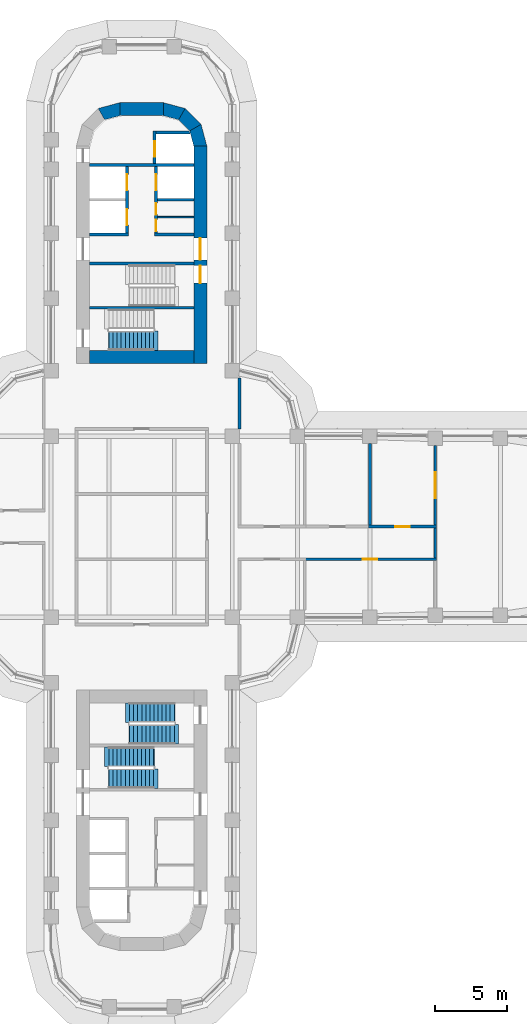
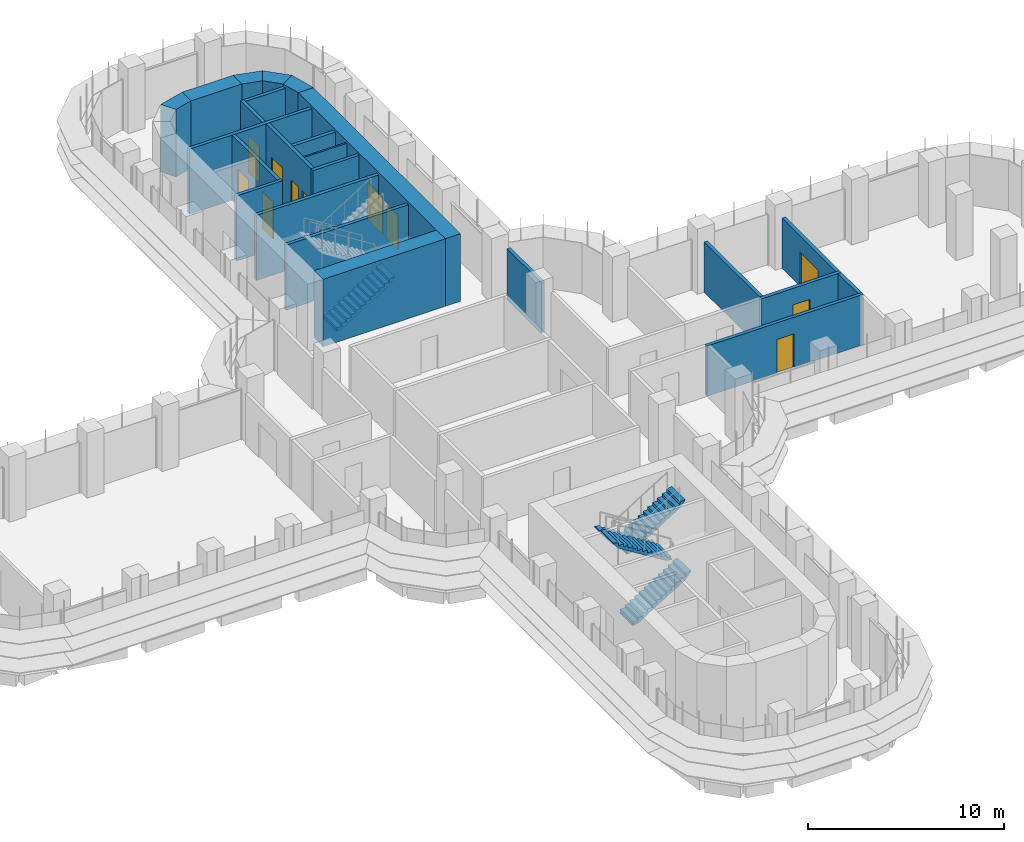
# One storey, part 18 of 23: 24 walls, 11 doors, 5 stair flights, 11 openings, 3 elements without a shape of their own.
"""IFC4 building model written with IfcOpenShell, lengths in metres."""

from ifc_helpers import new_model, si_unit, direction, frame, frame_2d, origin, place, context, subcontext, project, spatial, polyline, rectangle, outline, extrude, material, layer, layer_set, type_object, element, fill, aggregate, save


model = new_model("IFC4")

# Units and contexts
model_context = context("Model", 3, precision=1e-05, world=origin(), true_north=direction((0.0, 1.0)))
body_context = subcontext(model_context, "Body", "Model", "MODEL_VIEW")
ifc_project = project(units=[si_unit("LENGTHUNIT", "METRE"), si_unit("AREAUNIT", "SQUARE_METRE"), si_unit("VOLUMEUNIT", "CUBIC_METRE"), si_unit("PLANEANGLEUNIT", "RADIAN"), si_unit("MASSUNIT", "GRAM", prefix="KILO")], contexts=[model_context])

# Site, building, storey
site_placement = place(None, origin())
site = spatial("IfcSite", under=ifc_project, at=site_placement, CompositionType="ELEMENT")
building_placement = place(site_placement, origin())
building = spatial("IfcBuilding", under=site, at=building_placement, Name="Zarbagh Exchange Tower", CompositionType="ELEMENT")
storey_placement = place(building_placement, frame((0.0, 0.0, 69.0)))
storey = spatial("IfcBuildingStorey", under=building, at=storey_placement, Name="L15", CompositionType="ELEMENT", Elevation=69.0)

# Walls
ifc_material_1 = material(Name="Dense blockwork", Category="masonry")
ifc_layer_1 = layer(ifc_material_1, 0.10009765625)
ifc_layer_set_1 = layer_set([ifc_layer_1], Name="Core partition 100 mm blockwork")
wall_type_1 = type_object("IfcWallType", Name="Core partition 100 mm blockwork", PredefinedType="PARTITIONING", material=ifc_layer_set_1)
wall_1_placement = place(storey_placement, frame((1.10009765625, 21.35009765625, 0.0), z_axis=(0.0, 0.0, 1.0), x_axis=(1.0, 0.0, 0.0)))
element("IfcWall", 1, at=wall_1_placement, inside=storey, type_object=wall_type_1, Name="North core partition wall CUT-E-700", PredefinedType="PARTITIONING", context=body_context, shape_type="SweptSolid", body=[
    extrude(rectangle(XDim=2.5, YDim=0.10009765625, at=frame_2d((1.25, 0.0))), origin(), (0.0, 0.0, 1.0), 4.050048828125),
])
ifc_material_2 = material(Name="Fire-rated plasterboard partition")
ifc_layer_2 = layer(ifc_material_2, 0.199951171875)
ifc_layer_set_2 = layer_set([ifc_layer_2], Name="RATED PARTITION 200")
wall_type_2 = type_object("IfcWallType", Name="RATED PARTITION 200", PredefinedType="PARTITIONING", material=ifc_layer_set_2)
wall_2_placement = place(storey_placement, frame((6.75, 6.75, 0.0), z_axis=(0.0, 0.0, 1.0), x_axis=(0.0, 1.0, 0.0)))
element("IfcWall", 2, at=wall_2_placement, inside=storey, type_object=wall_type_2, Name="Partition W-512", PredefinedType="PARTITIONING", context=body_context, shape_type="SweptSolid", body=[
    extrude(rectangle(XDim=3.5, YDim=0.199951171875, at=frame_2d((1.75, 0.0))), origin(), (0.0, 0.0, 1.0), 3.130615234375),
])

# Wall, opening, door
wall_3_placement = place(storey_placement, frame((15.64990234375, 0.0, 0.0), z_axis=(0.0, 0.0, 1.0), x_axis=(1.0, 0.0, 0.0)))
wall_3 = element("IfcWall", 3, at=wall_3_placement, inside=storey, type_object=wall_type_2, Name="Partition W-522", PredefinedType="PARTITIONING", context=body_context, shape_type="SweptSolid", body=[
    extrude(rectangle(XDim=4.7001953125, YDim=0.199951171875, at=frame_2d((2.35009765625, 0.0))), origin(), (0.0, 0.0, 1.0), 3.130615234375),
])
opening_1_placement = place(wall_3_placement, frame((1.85009765625, 0.0, 0.0)))
opening_1 = element("IfcOpeningElement", 4, at=opening_1_placement, cuts=wall_3, Name="Opening D-507", PredefinedType="OPENING", context=body_context, shape_type="SweptSolid", body=[
    extrude(rectangle(XDim=1.0, YDim=2.10009765625, at=frame_2d((0.5, 1.050048828125))), frame((0.0, 0.10986328125, 0.0), z_axis=(0.0, -1.0, 0.0), x_axis=(1.0, 0.0, 0.0)), (0.0, 0.0, 1.0), 0.219970703125),
])
ifc_material_3 = material(Name="Steel door set", Category="steel")
door_type_1 = type_object("IfcDoorType", Name="FIRE DOOR 1000 X 2100 FD30S", OperationType="NOTDEFINED", PredefinedType="DOOR", material=ifc_material_3)
door_1_placement = place(opening_1_placement, origin())
door_1 = element("IfcDoor", 5, at=door_1_placement, inside=storey, type_object=door_type_1, Name="Door D-507", OperationType="SINGLE_SWING_LEFT", OverallHeight=2.10009765625, OverallWidth=1.0, PredefinedType="DOOR", context=body_context, shape_type="SweptSolid", body=[
    extrude(rectangle(XDim=1.0, YDim=2.10009765625, at=frame_2d((0.5, 1.050048828125))), frame((0.0, 0.02490234375, 0.0), z_axis=(0.0, -1.0, 0.0), x_axis=(1.0, 0.0, 0.0)), (0.0, 0.0, 1.0), 0.050048828125),
])
fill(opening_1, door_1)

wall_4_placement = place(storey_placement, frame((20.35009765625, -2.25, 0.0), z_axis=(0.0, 0.0, 1.0), x_axis=(-1.0, 0.0, 0.0)))
wall_4 = element("IfcWall", 6, at=wall_4_placement, inside=storey, type_object=wall_type_2, Name="Partition W-523", PredefinedType="PARTITIONING", context=body_context, shape_type="SweptSolid", body=[
    extrude(rectangle(XDim=9.2001953125, YDim=0.199951171875, at=frame_2d((4.60009765625, 0.0))), origin(), (0.0, 0.0, 1.0), 3.130615234375),
])
opening_2_placement = place(wall_4_placement, frame((4.10009765625, 0.0, 0.0)))
opening_2 = element("IfcOpeningElement", 7, at=opening_2_placement, cuts=wall_4, Name="Opening D-509", PredefinedType="OPENING", context=body_context, shape_type="SweptSolid", body=[
    extrude(rectangle(XDim=1.0, YDim=2.10009765625, at=frame_2d((0.5, 1.050048828125))), frame((0.0, 0.10986328125, 0.0), z_axis=(0.0, -1.0, 0.0), x_axis=(1.0, 0.0, 0.0)), (0.0, 0.0, 1.0), 0.219970703125),
])
door_2_placement = place(opening_2_placement, origin())
door_2 = element("IfcDoor", 8, at=door_2_placement, inside=storey, type_object=door_type_1, Name="Door D-509", OperationType="SINGLE_SWING_RIGHT", OverallHeight=2.10009765625, OverallWidth=1.0, PredefinedType="DOOR", context=body_context, shape_type="SweptSolid", body=[
    extrude(rectangle(XDim=1.0, YDim=2.10009765625, at=frame_2d((0.5, 1.050048828125))), frame((0.0, 0.02490234375, 0.0), z_axis=(0.0, -1.0, 0.0), x_axis=(1.0, 0.0, 0.0)), (0.0, 0.0, 1.0), 0.050048828125),
])
fill(opening_2, door_2)

# Walls
wall_5_placement = place(storey_placement, frame((20.25, -2.14990234375, 0.0), z_axis=(0.0, 0.0, 1.0), x_axis=(0.0, 1.0, 0.0)))
element("IfcWall", 9, at=wall_5_placement, inside=storey, type_object=wall_type_2, Name="Partition W-524", PredefinedType="PARTITIONING", context=body_context, shape_type="SweptSolid", body=[
    extrude(rectangle(XDim=2.0498046875, YDim=0.199951171875, at=frame_2d((1.02490234375, 0.0))), origin(), (0.0, 0.0, 1.0), 3.130615234375),
])
wall_6_placement = place(storey_placement, frame((15.75, 0.10009765625, 0.0), z_axis=(0.0, 0.0, 1.0), x_axis=(0.0, 1.0, 0.0)))
element("IfcWall", 10, at=wall_6_placement, inside=storey, type_object=wall_type_2, Name="Partition W-527", PredefinedType="PARTITIONING", context=body_context, shape_type="SweptSolid", body=[
    extrude(rectangle(XDim=5.64990234375, YDim=0.199951171875, at=frame_2d((2.824951171875, 0.0))), origin(), (0.0, 0.0, 1.0), 3.130615234375),
])

# Wall, opening, door
wall_7_placement = place(storey_placement, frame((20.25, 5.610107421875, 0.0), z_axis=(0.0, 0.0, 1.0), x_axis=(0.0, -1.0, 0.0)))
wall_7 = element("IfcWall", 11, at=wall_7_placement, inside=storey, type_object=wall_type_2, Name="Partition W-528", PredefinedType="PARTITIONING", context=body_context, shape_type="SweptSolid", body=[
    extrude(rectangle(XDim=5.510009765625, YDim=0.199951171875, at=frame_2d((2.7548828125, 0.0))), origin(), (0.0, 0.0, 1.0), 3.130615234375),
])
opening_3_placement = place(wall_7_placement, frame((1.85498046875, 0.0, 0.0)))
opening_3 = element("IfcOpeningElement", 12, at=opening_3_placement, cuts=wall_7, Name="Opening D-504", PredefinedType="OPENING", context=body_context, shape_type="SweptSolid", body=[
    extrude(rectangle(XDim=1.800048828125, YDim=2.10009765625, at=frame_2d((0.89990234375, 1.050048828125))), frame((0.0, 0.10986328125, 0.0), z_axis=(0.0, -1.0, 0.0), x_axis=(1.0, 0.0, 0.0)), (0.0, 0.0, 1.0), 0.219970703125),
])
door_type_2 = type_object("IfcDoorType", Name="FIRE DOUBLE DOOR 1800 X 2100 FD30S", OperationType="DOUBLE_DOOR_SINGLE_SWING", PredefinedType="DOOR", material=ifc_material_3)
door_3_placement = place(opening_3_placement, origin())
door_3 = element("IfcDoor", 13, at=door_3_placement, inside=storey, type_object=door_type_2, Name="Door D-504", OperationType="DOUBLE_DOOR_SINGLE_SWING", OverallHeight=2.10009765625, OverallWidth=1.800048828125, PredefinedType="DOOR", context=body_context, shape_type="SweptSolid", body=[
    extrude(rectangle(XDim=1.800048828125, YDim=2.10009765625, at=frame_2d((0.89990234375, 1.050048828125))), frame((0.0, 0.02490234375, 0.0), z_axis=(0.0, -1.0, 0.0), x_axis=(1.0, 0.0, 0.0)), (0.0, 0.0, 1.0), 0.050048828125),
])
fill(opening_3, door_3)

# Walls
ifc_material_4 = material(Name="Concrete C60/75", Category="concrete")
ifc_layer_3 = layer(ifc_material_4, 0.89990234375)
ifc_layer_set_3 = layer_set([ifc_layer_3], Name="RC core corner wall 900 C60/75")
wall_type_3 = type_object("IfcWallType", Name="RC core corner wall 900 C60/75", PredefinedType="SHEAR", material=ifc_layer_set_3)
wall_8_placement = place(storey_placement, origin())
element("IfcWall", 14, at=wall_8_placement, inside=storey, type_object=wall_type_3, Name="CW2 core N corner W", PredefinedType="SHEAR", context=body_context, shape_type="SweptSolid", body=[
    extrude(outline(polyline([(-3.0, 28.84814453125), (-1.5, 29.25), (-1.5, 28.35009765625), (-2.550048828125, 28.068603515625), (-3.0, 28.84814453125)])), origin(), (0.0, 0.0, 1.0), 4.199951171875),
])
wall_9_placement = place(storey_placement, origin())
element("IfcWall", 15, at=wall_9_placement, inside=storey, type_object=wall_type_3, Name="CW2 core N corner E", PredefinedType="SHEAR", context=body_context, shape_type="SweptSolid", body=[
    extrude(outline(polyline([(4.5, 26.25), (4.09814453125, 27.75), (3.318603515625, 27.300048828125), (3.60009765625, 26.25), (4.5, 26.25)])), origin(), (0.0, 0.0, 1.0), 4.199951171875),
])
wall_10_placement = place(storey_placement, origin())
element("IfcWall", 16, at=wall_10_placement, inside=storey, type_object=wall_type_3, Name="CW2 core N corner E", PredefinedType="SHEAR", context=body_context, shape_type="SweptSolid", body=[
    extrude(outline(polyline([(4.09814453125, 27.75), (3.0, 28.84814453125), (2.550048828125, 28.068603515625), (3.318603515625, 27.300048828125), (4.09814453125, 27.75)])), origin(), (0.0, 0.0, 1.0), 4.199951171875),
])
wall_11_placement = place(storey_placement, origin())
element("IfcWall", 17, at=wall_11_placement, inside=storey, type_object=wall_type_3, Name="CW2 core N corner E", PredefinedType="SHEAR", context=body_context, shape_type="SweptSolid", body=[
    extrude(outline(polyline([(3.0, 28.84814453125), (1.5, 29.25), (1.5, 28.35009765625), (2.550048828125, 28.068603515625), (3.0, 28.84814453125)])), origin(), (0.0, 0.0, 1.0), 4.199951171875),
])

# Wall, openings, doors
ifc_layer_4 = layer(ifc_material_4, 0.89990234375)
ifc_layer_set_4 = layer_set([ifc_layer_4], Name="RC core wall 900 C60/75")
wall_type_4 = type_object("IfcWallType", Name="RC core wall 900 C60/75", PredefinedType="SHEAR", material=ifc_layer_set_4)
wall_12_placement = place(storey_placement, frame((4.050048828125, 11.25, 0.0), z_axis=(0.0, 0.0, 1.0), x_axis=(0.0, 1.0, 0.0)))
wall_12 = element("IfcWall", 18, at=wall_12_placement, inside=storey, type_object=wall_type_4, Name="CW1 core N E", PredefinedType="SHEAR", context=body_context, shape_type="SweptSolid", body=[
    extrude(rectangle(XDim=15.0, YDim=0.89990234375, at=frame_2d((7.5, 0.0))), origin(), (0.0, 0.0, 1.0), 4.199951171875),
])
opening_4_placement = place(wall_12_placement, frame((7.14990234375, 0.0, 0.0)))
opening_4 = element("IfcOpeningElement", 19, at=opening_4_placement, cuts=wall_12, Name="Opening CD1-1500", PredefinedType="OPENING", context=body_context, shape_type="SweptSolid", body=[
    extrude(rectangle(XDim=1.5, YDim=2.300048828125, at=frame_2d((0.75, 1.14990234375))), frame((0.0, 0.4599609375, 0.0), z_axis=(0.0, -1.0, 0.0), x_axis=(1.0, 0.0, 0.0)), (0.0, 0.0, 1.0), 0.919921875),
])
opening_5_placement = place(wall_12_placement, frame((5.550048828125, 0.0, 0.0)))
opening_5 = element("IfcOpeningElement", 20, at=opening_5_placement, cuts=wall_12, Name="Opening SD1-1200", PredefinedType="OPENING", context=body_context, shape_type="SweptSolid", body=[
    extrude(rectangle(XDim=1.199951171875, YDim=2.10009765625, at=frame_2d((0.60009765625, 1.050048828125))), frame((0.0, 0.4599609375, 0.0), z_axis=(0.0, -1.0, 0.0), x_axis=(1.0, 0.0, 0.0)), (0.0, 0.0, 1.0), 0.919921875),
])
ifc_material_5 = material(Name="Steel", Category="steel")
door_type_3 = type_object("IfcDoorType", Name="Exit stair door 1200 x 2100", OperationType="NOTDEFINED", PredefinedType="DOOR", material=ifc_material_5)
door_4_placement = place(opening_5_placement, origin())
door_4 = element("IfcDoor", 21, at=door_4_placement, inside=storey, type_object=door_type_3, Name="North core stair door ST1", OperationType="SINGLE_SWING_LEFT", OverallHeight=2.10009765625, OverallWidth=1.199951171875, PredefinedType="DOOR", context=body_context, shape_type="SweptSolid", body=[
    extrude(rectangle(XDim=1.199951171875, YDim=2.10009765625, at=frame_2d((0.60009765625, 1.050048828125))), frame((0.0, 0.02490234375, 0.0), z_axis=(0.0, -1.0, 0.0), x_axis=(1.0, 0.0, 0.0)), (0.0, 0.0, 1.0), 0.050048828125),
])
fill(opening_5, door_4)
door_type_4 = type_object("IfcDoorType", Name="Lift lobby double door 1500 x 2300", OperationType="NOTDEFINED", PredefinedType="DOOR", material=ifc_material_5)
door_5_placement = place(opening_4_placement, origin())
door_5 = element("IfcDoor", 22, at=door_5_placement, inside=storey, type_object=door_type_4, Name="North core lift lobby door LOBBY-E", OperationType="DOUBLE_DOOR_SINGLE_SWING", OverallHeight=2.300048828125, OverallWidth=1.5, PredefinedType="DOOR", context=body_context, shape_type="SweptSolid", body=[
    extrude(rectangle(XDim=1.5, YDim=2.300048828125, at=frame_2d((0.75, 1.14990234375))), frame((0.0, 0.02490234375, 0.0), z_axis=(0.0, -1.0, 0.0), x_axis=(1.0, 0.0, 0.0)), (0.0, 0.0, 1.0), 0.050048828125),
])
fill(opening_4, door_5)

# Walls
wall_13_placement = place(storey_placement, frame((-3.60009765625, 11.699951171875, 0.0), z_axis=(0.0, 0.0, 1.0), x_axis=(1.0, 0.0, 0.0)))
element("IfcWall", 23, at=wall_13_placement, inside=storey, type_object=wall_type_4, Name="CW1 core N inner end", PredefinedType="SHEAR", context=body_context, shape_type="SweptSolid", body=[
    extrude(rectangle(XDim=7.2001953125, YDim=0.89990234375, at=frame_2d((3.60009765625, 0.0))), origin(), (0.0, 0.0, 1.0), 4.199951171875),
])
wall_14_placement = place(storey_placement, frame((-1.5, 28.800048828125, 0.0), z_axis=(0.0, 0.0, 1.0), x_axis=(1.0, 0.0, 0.0)))
element("IfcWall", 24, at=wall_14_placement, inside=storey, type_object=wall_type_4, Name="CW1 core N outer end", PredefinedType="SHEAR", context=body_context, shape_type="SweptSolid", body=[
    extrude(rectangle(XDim=3.0, YDim=0.89990234375, at=frame_2d((1.5, 0.0))), origin(), (0.0, 0.0, 1.0), 4.199951171875),
])
ifc_layer_5 = layer(ifc_material_1, 0.199951171875)
ifc_layer_set_5 = layer_set([ifc_layer_5], Name="Shaft wall 200 mm blockwork")
wall_type_5 = type_object("IfcWallType", Name="Shaft wall 200 mm blockwork", PredefinedType="PARTITIONING", material=ifc_layer_set_5)
wall_15_placement = place(storey_placement, frame((-3.60009765625, 20.14990234375, 0.0), z_axis=(0.0, 0.0, 1.0), x_axis=(1.0, 0.0, 0.0)))
element("IfcWall", 25, at=wall_15_placement, inside=storey, type_object=wall_type_5, Name="North core shaft wall AB-W", PredefinedType="PARTITIONING", context=body_context, shape_type="SweptSolid", body=[
    extrude(rectangle(XDim=2.7001953125, YDim=0.199951171875, at=frame_2d((1.35009765625, 0.0))), origin(), (0.0, 0.0, 1.0), 4.050048828125),
])

# Wall, openings, doors
wall_16_placement = place(storey_placement, frame((-1.0, 24.85009765625, 0.0), z_axis=(0.0, 0.0, 1.0), x_axis=(0.0, -1.0, 0.0)))
wall_16 = element("IfcWall", 26, at=wall_16_placement, inside=storey, type_object=wall_type_5, Name="North core shaft wall LW-W", PredefinedType="PARTITIONING", context=body_context, shape_type="SweptSolid", body=[
    extrude(rectangle(XDim=4.60009765625, YDim=0.199951171875, at=frame_2d((2.300048828125, 0.0))), origin(), (0.0, 0.0, 1.0), 4.050048828125),
])
opening_6_placement = place(wall_16_placement, frame((0.550048828125, 0.0, 0.0)))
opening_6 = element("IfcOpeningElement", 27, at=opening_6_placement, cuts=wall_16, Name="Opening LD-1100", PredefinedType="OPENING", context=body_context, shape_type="SweptSolid", body=[
    extrude(rectangle(XDim=1.10009765625, YDim=2.300048828125, at=frame_2d((0.550048828125, 1.14990234375))), frame((0.0, 0.10986328125, 0.0), z_axis=(0.0, -1.0, 0.0), x_axis=(1.0, 0.0, 0.0)), (0.0, 0.0, 1.0), 0.219970703125),
])
opening_7_placement = place(wall_16_placement, frame((2.949951171875, 0.0, 0.0)))
opening_7 = element("IfcOpeningElement", 28, at=opening_7_placement, cuts=wall_16, Name="Opening LD-1100", PredefinedType="OPENING", context=body_context, shape_type="SweptSolid", body=[
    extrude(rectangle(XDim=1.10009765625, YDim=2.300048828125, at=frame_2d((0.550048828125, 1.14990234375))), frame((0.0, 0.10986328125, 0.0), z_axis=(0.0, -1.0, 0.0), x_axis=(1.0, 0.0, 0.0)), (0.0, 0.0, 1.0), 0.219970703125),
])
ifc_material_6 = material(Name="Stainless steel", Category="steel")
door_type_5 = type_object("IfcDoorType", Name="Lift landing door 1100 x 2300", OperationType="NOTDEFINED", PredefinedType="DOOR", material=ifc_material_6)
door_6_placement = place(opening_6_placement, origin())
door_6 = element("IfcDoor", 29, at=door_6_placement, inside=storey, type_object=door_type_5, Name="North core lift landing door LD-P-N1", OperationType="DOUBLE_DOOR_SLIDING", OverallHeight=2.300048828125, OverallWidth=1.10009765625, PredefinedType="DOOR", context=body_context, shape_type="SweptSolid", body=[
    extrude(rectangle(XDim=1.10009765625, YDim=2.300048828125, at=frame_2d((0.550048828125, 1.14990234375))), frame((0.0, 0.02490234375, 0.0), z_axis=(0.0, -1.0, 0.0), x_axis=(1.0, 0.0, 0.0)), (0.0, 0.0, 1.0), 0.050048828125),
])
fill(opening_6, door_6)
door_7_placement = place(opening_7_placement, origin())
door_7 = element("IfcDoor", 30, at=door_7_placement, inside=storey, type_object=door_type_5, Name="North core lift landing door LD-P-N2", OperationType="DOUBLE_DOOR_SLIDING", OverallHeight=2.300048828125, OverallWidth=1.10009765625, PredefinedType="DOOR", context=body_context, shape_type="SweptSolid", body=[
    extrude(rectangle(XDim=1.10009765625, YDim=2.300048828125, at=frame_2d((0.550048828125, 1.14990234375))), frame((0.0, 0.02490234375, 0.0), z_axis=(0.0, -1.0, 0.0), x_axis=(1.0, 0.0, 0.0)), (0.0, 0.0, 1.0), 0.050048828125),
])
fill(opening_7, door_7)

# Wall
wall_17_placement = place(storey_placement, frame((0.89990234375, 20.14990234375, 0.0), z_axis=(0.0, 0.0, 1.0), x_axis=(1.0, 0.0, 0.0)))
element("IfcWall", 31, at=wall_17_placement, inside=storey, type_object=wall_type_5, Name="North core shaft wall AB-E", PredefinedType="PARTITIONING", context=body_context, shape_type="SweptSolid", body=[
    extrude(rectangle(XDim=2.7001953125, YDim=0.199951171875, at=frame_2d((1.35009765625, 0.0))), origin(), (0.0, 0.0, 1.0), 4.050048828125),
])

# Wall, openings, doors
wall_18_placement = place(storey_placement, frame((1.0, 24.85009765625, 0.0), z_axis=(0.0, 0.0, 1.0), x_axis=(0.0, -1.0, 0.0)))
wall_18 = element("IfcWall", 32, at=wall_18_placement, inside=storey, type_object=wall_type_5, Name="North core shaft wall LW-E", PredefinedType="PARTITIONING", context=body_context, shape_type="SweptSolid", body=[
    extrude(rectangle(XDim=4.60009765625, YDim=0.199951171875, at=frame_2d((2.300048828125, 0.0))), origin(), (0.0, 0.0, 1.0), 4.050048828125),
])
opening_8_placement = place(wall_18_placement, frame((0.550048828125, 0.0, 0.0)))
opening_8 = element("IfcOpeningElement", 33, at=opening_8_placement, cuts=wall_18, Name="Opening LD-1100", PredefinedType="OPENING", context=body_context, shape_type="SweptSolid", body=[
    extrude(rectangle(XDim=1.10009765625, YDim=2.300048828125, at=frame_2d((0.550048828125, 1.14990234375))), frame((0.0, 0.10986328125, 0.0), z_axis=(0.0, -1.0, 0.0), x_axis=(1.0, 0.0, 0.0)), (0.0, 0.0, 1.0), 0.219970703125),
])
opening_9_placement = place(wall_18_placement, frame((2.52490234375, 0.0, 0.0)))
opening_9 = element("IfcOpeningElement", 34, at=opening_9_placement, cuts=wall_18, Name="Opening CD3-800", PredefinedType="OPENING", context=body_context, shape_type="SweptSolid", body=[
    extrude(rectangle(XDim=0.800048828125, YDim=2.10009765625, at=frame_2d((0.39990234375, 1.050048828125))), frame((0.0, 0.10986328125, 0.0), z_axis=(0.0, -1.0, 0.0), x_axis=(1.0, 0.0, 0.0)), (0.0, 0.0, 1.0), 0.219970703125),
])
opening_10_placement = place(wall_18_placement, frame((3.675048828125, 0.0, 0.0)))
opening_10 = element("IfcOpeningElement", 35, at=opening_10_placement, cuts=wall_18, Name="Opening CD3-800", PredefinedType="OPENING", context=body_context, shape_type="SweptSolid", body=[
    extrude(rectangle(XDim=0.800048828125, YDim=2.10009765625, at=frame_2d((0.39990234375, 1.050048828125))), frame((0.0, 0.10986328125, 0.0), z_axis=(0.0, -1.0, 0.0), x_axis=(1.0, 0.0, 0.0)), (0.0, 0.0, 1.0), 0.219970703125),
])
door_type_6 = type_object("IfcDoorType", Name="Core room door 800 x 2100", OperationType="NOTDEFINED", PredefinedType="DOOR", material=ifc_material_5)
door_8_placement = place(opening_9_placement, origin())
door_8 = element("IfcDoor", 36, at=door_8_placement, inside=storey, type_object=door_type_6, Name="North core Store door RD-E-0", OperationType="SINGLE_SWING_RIGHT", OverallHeight=2.10009765625, OverallWidth=0.800048828125, PredefinedType="DOOR", context=body_context, shape_type="SweptSolid", body=[
    extrude(rectangle(XDim=0.800048828125, YDim=2.10009765625, at=frame_2d((0.39990234375, 1.050048828125))), frame((0.0, 0.02490234375, 0.0), z_axis=(0.0, -1.0, 0.0), x_axis=(1.0, 0.0, 0.0)), (0.0, 0.0, 1.0), 0.050048828125),
])
fill(opening_9, door_8)
door_9_placement = place(opening_10_placement, origin())
door_9 = element("IfcDoor", 37, at=door_9_placement, inside=storey, type_object=door_type_6, Name="North core IT room door RD-E-1", OperationType="SINGLE_SWING_RIGHT", OverallHeight=2.10009765625, OverallWidth=0.800048828125, PredefinedType="DOOR", context=body_context, shape_type="SweptSolid", body=[
    extrude(rectangle(XDim=0.800048828125, YDim=2.10009765625, at=frame_2d((0.39990234375, 1.050048828125))), frame((0.0, 0.02490234375, 0.0), z_axis=(0.0, -1.0, 0.0), x_axis=(1.0, 0.0, 0.0)), (0.0, 0.0, 1.0), 0.050048828125),
])
fill(opening_10, door_9)
door_10_placement = place(opening_8_placement, origin())
door_10 = element("IfcDoor", 38, at=door_10_placement, inside=storey, type_object=door_type_5, Name="North core lift landing door LD-P-N3", OperationType="DOUBLE_DOOR_SLIDING", OverallHeight=2.300048828125, OverallWidth=1.10009765625, PredefinedType="DOOR", context=body_context, shape_type="SweptSolid", body=[
    extrude(rectangle(XDim=1.10009765625, YDim=2.300048828125, at=frame_2d((0.550048828125, 1.14990234375))), frame((0.0, 0.02490234375, 0.0), z_axis=(0.0, -1.0, 0.0), x_axis=(1.0, 0.0, 0.0)), (0.0, 0.0, 1.0), 0.050048828125),
])
fill(opening_8, door_10)

# Walls
wall_19_placement = place(storey_placement, frame((1.10009765625, 22.550048828125, 0.0), z_axis=(0.0, 0.0, 1.0), x_axis=(1.0, 0.0, 0.0)))
element("IfcWall", 39, at=wall_19_placement, inside=storey, type_object=wall_type_5, Name="North core shaft wall TR-E", PredefinedType="PARTITIONING", context=body_context, shape_type="SweptSolid", body=[
    extrude(rectangle(XDim=2.5, YDim=0.199951171875, at=frame_2d((1.25, 0.0))), origin(), (0.0, 0.0, 1.0), 4.050048828125),
])
ifc_material_7 = material(Name="Concrete C40/50", Category="concrete")
ifc_layer_6 = layer(ifc_material_7, 0.199951171875)
ifc_layer_set_6 = layer_set([ifc_layer_6], Name="Stair enclosure wall 200 mm RC C40/50")
wall_type_6 = type_object("IfcWallType", Name="Stair enclosure wall 200 mm RC C40/50", PredefinedType="SHEAR", material=ifc_layer_set_6)
wall_20_placement = place(storey_placement, frame((-3.60009765625, 24.949951171875, 0.0), z_axis=(0.0, 0.0, 1.0), x_axis=(1.0, 0.0, 0.0)))
element("IfcWall", 40, at=wall_20_placement, inside=storey, type_object=wall_type_6, Name="North core lift shaft wall FFA", PredefinedType="SHEAR", context=body_context, shape_type="SweptSolid", body=[
    extrude(rectangle(XDim=7.2001953125, YDim=0.199951171875, at=frame_2d((3.60009765625, 0.0))), origin(), (0.0, 0.0, 1.0), 4.050048828125),
])

# Wall, opening, door
wall_21_placement = place(storey_placement, frame((0.89990234375, 27.300048828125, 0.0), z_axis=(0.0, 0.0, 1.0), x_axis=(0.0, -1.0, 0.0)))
wall_21 = element("IfcWall", 41, at=wall_21_placement, inside=storey, type_object=wall_type_6, Name="North core lift shaft wall FFL", PredefinedType="SHEAR", context=body_context, shape_type="SweptSolid", body=[
    extrude(rectangle(XDim=2.25, YDim=0.199951171875, at=frame_2d((1.125, 0.0))), origin(), (0.0, 0.0, 1.0), 4.050048828125),
])
opening_11_placement = place(wall_21_placement, frame((0.699951171875, 0.0, 0.0)))
opening_11 = element("IfcOpeningElement", 42, at=opening_11_placement, cuts=wall_21, Name="Opening LD-1100", PredefinedType="OPENING", context=body_context, shape_type="SweptSolid", body=[
    extrude(rectangle(XDim=1.10009765625, YDim=2.300048828125, at=frame_2d((0.550048828125, 1.14990234375))), frame((0.0, 0.10986328125, 0.0), z_axis=(0.0, -1.0, 0.0), x_axis=(1.0, 0.0, 0.0)), (0.0, 0.0, 1.0), 0.219970703125),
])
door_11_placement = place(opening_11_placement, origin())
door_11 = element("IfcDoor", 43, at=door_11_placement, inside=storey, type_object=door_type_5, Name="North core lift landing door LD-F", OperationType="DOUBLE_DOOR_SLIDING", OverallHeight=2.300048828125, OverallWidth=1.10009765625, PredefinedType="DOOR", context=body_context, shape_type="SweptSolid", body=[
    extrude(rectangle(XDim=1.10009765625, YDim=2.300048828125, at=frame_2d((0.550048828125, 1.14990234375))), frame((0.0, 0.02490234375, 0.0), z_axis=(0.0, -1.0, 0.0), x_axis=(1.0, 0.0, 0.0)), (0.0, 0.0, 1.0), 0.050048828125),
])
fill(opening_11, door_11)

# Walls
wall_22_placement = place(storey_placement, origin())
element("IfcWall", 44, at=wall_22_placement, inside=storey, type_object=wall_type_6, Name="North core lift shaft wall FFX", PredefinedType="SHEAR", context=body_context, shape_type="SweptSolid", body=[
    extrude(outline(polyline([(1.0, 27.10009765625), (3.340576171875, 27.10009765625), (3.291259765625, 27.2841796875), (3.275390625, 27.300048828125), (1.0, 27.300048828125), (1.0, 27.10009765625)])), origin(), (0.0, 0.0, 1.0), 4.050048828125),
])
for number, where, z_axis, x_axis, name in (
    (45, (-3.60009765625, 18.14990234375, 0.0), (0.0, 0.0, 1.0), (1.0, 0.0, 0.0), "North core stair wall BS"),
    (46, (-3.60009765625, 15.10009765625, 0.0), (0.0, 0.0, 1.0), (1.0, 0.0, 0.0), "North core stair wall ST12"),
):
    element("IfcWall", number, at=place(storey_placement, frame(where, z_axis=z_axis, x_axis=x_axis)), inside=storey, type_object=wall_type_6, Name=name, PredefinedType="SHEAR", context=body_context, shape_type="SweptSolid", body=[
        extrude(rectangle(XDim=7.2001953125, YDim=0.199951171875, at=frame_2d((3.60009765625, 0.0))), origin(), (0.0, 0.0, 1.0), 4.050048828125),
    ])

# Stair, stair flight
stair_type = type_object("IfcStairType", Name="Exit stair two-flight half-turn", PredefinedType="HALF_TURN_STAIR", material=ifc_material_7)
stair_1_placement = place(storey_placement, origin())
stair_1 = element("IfcStair", 47, at=stair_1_placement, inside=storey, type_object=stair_type, Name="exit stair ST2", PredefinedType="HALF_TURN_STAIR")
stair_flight_type = type_object("IfcStairFlightType", Name="Stair flight 1350 mm", PredefinedType="STRAIGHT", material=ifc_material_7)
stair_flight_1_placement = place(storey_placement, frame((-2.25, 12.824951171875, 0.0), z_axis=(0.0, 0.0, 1.0), x_axis=(1.0, 0.0, 0.0)))
stair_flight_1 = element("IfcStairFlight", 48, at=stair_flight_1_placement, type_object=stair_flight_type, Name="ST2 flight 1", NumberOfRisers=12, NumberOfTreads=11, PredefinedType="STRAIGHT", RiserHeight=0.175, TreadLength=0.28, context=body_context, shape_type="SweptSolid", body=[
    extrude(outline(polyline([(-0.050048828125, -0.050048828125), (-0.050048828125, 0.0), (0.0, 0.0), (0.0, 0.175048828125), (0.280029296875, 0.175048828125), (0.280029296875, 0.35009765625), (0.56005859375, 0.35009765625), (0.56005859375, 0.52490234375), (0.840087890625, 0.52490234375), (0.840087890625, 0.699951171875), (1.1201171875, 0.699951171875), (1.1201171875, 0.875), (1.39990234375, 0.875), (1.39990234375, 1.050048828125), (1.679931640625, 1.050048828125), (1.679931640625, 1.22509765625), (1.9599609375, 1.22509765625), (1.9599609375, 1.39990234375), (2.239990234375, 1.39990234375), (2.239990234375, 1.574951171875), (2.52001953125, 1.574951171875), (2.52001953125, 1.75), (2.800048828125, 1.75), (2.800048828125, 1.925048828125), (3.080078125, 1.925048828125), (3.080078125, 2.10009765625), (3.3798828125, 2.179931640625), (3.3798828125, 2.10009765625), (3.080078125, 1.748291015625), (0.28271484375, 0.0), (-0.050048828125, -0.050048828125)])), frame((0.0, 0.675048828125, 0.0), z_axis=(0.0, -1.0, 0.0), x_axis=(1.0, 0.0, 0.0)), (0.0, 0.0, 1.0), 1.35009765625),
])
aggregate(stair_1, [stair_flight_1])

# Stair, stair flights
stair_2_placement = place(storey_placement, origin())
stair_2 = element("IfcStair", 49, at=stair_2_placement, inside=storey, type_object=stair_type, Name="exit stair ST3", PredefinedType="HALF_TURN_STAIR")
stair_flight_2_placement = place(storey_placement, frame((-2.25, -17.375, 0.0), z_axis=(0.0, 0.0, 1.0), x_axis=(1.0, 0.0, 0.0)))
stair_flight_2 = element("IfcStairFlight", 50, at=stair_flight_2_placement, type_object=stair_flight_type, Name="ST3 flight 1", NumberOfRisers=12, NumberOfTreads=11, PredefinedType="STRAIGHT", RiserHeight=0.175, TreadLength=0.28, context=body_context, shape_type="SweptSolid", body=[
    extrude(outline(polyline([(-0.050048828125, -0.050048828125), (-0.050048828125, 0.0), (0.0, 0.0), (0.0, 0.175048828125), (0.280029296875, 0.175048828125), (0.280029296875, 0.35009765625), (0.56005859375, 0.35009765625), (0.56005859375, 0.52490234375), (0.840087890625, 0.52490234375), (0.840087890625, 0.699951171875), (1.1201171875, 0.699951171875), (1.1201171875, 0.875), (1.39990234375, 0.875), (1.39990234375, 1.050048828125), (1.679931640625, 1.050048828125), (1.679931640625, 1.22509765625), (1.9599609375, 1.22509765625), (1.9599609375, 1.39990234375), (2.239990234375, 1.39990234375), (2.239990234375, 1.574951171875), (2.52001953125, 1.574951171875), (2.52001953125, 1.75), (2.800048828125, 1.75), (2.800048828125, 1.925048828125), (3.080078125, 1.925048828125), (3.080078125, 2.10009765625), (3.3798828125, 2.179931640625), (3.3798828125, 2.10009765625), (3.080078125, 1.748291015625), (0.28271484375, 0.0), (-0.050048828125, -0.050048828125)])), frame((0.0, 0.675048828125, 0.0), z_axis=(0.0, -1.0, 0.0), x_axis=(1.0, 0.0, 0.0)), (0.0, 0.0, 1.0), 1.35009765625),
])
stair_flight_3_placement = place(storey_placement, frame((0.830078125, -15.875, 2.10009765625), z_axis=(0.0, 0.0, 1.0), x_axis=(-1.0, 0.0, 0.0)))
stair_flight_3 = element("IfcStairFlight", 51, at=stair_flight_3_placement, type_object=stair_flight_type, Name="ST3 flight 2", NumberOfRisers=12, NumberOfTreads=11, PredefinedType="STRAIGHT", RiserHeight=0.175, TreadLength=0.28, context=body_context, shape_type="SweptSolid", body=[
    extrude(outline(polyline([(-0.050048828125, -0.050048828125), (-0.050048828125, 0.0), (0.0, 0.0), (0.0, 0.175048828125), (0.280029296875, 0.175048828125), (0.280029296875, 0.35009765625), (0.56005859375, 0.35009765625), (0.56005859375, 0.52490234375), (0.840087890625, 0.52490234375), (0.840087890625, 0.699951171875), (1.1201171875, 0.699951171875), (1.1201171875, 0.875), (1.39990234375, 0.875), (1.39990234375, 1.050048828125), (1.679931640625, 1.050048828125), (1.679931640625, 1.22509765625), (1.9599609375, 1.22509765625), (1.9599609375, 1.39990234375), (2.239990234375, 1.39990234375), (2.239990234375, 1.574951171875), (2.52001953125, 1.574951171875), (2.52001953125, 1.75), (2.800048828125, 1.75), (2.800048828125, 1.925048828125), (3.080078125, 1.925048828125), (3.080078125, 2.10009765625), (3.3798828125, 2.179931640625), (3.3798828125, 2.10009765625), (3.080078125, 1.748291015625), (0.28271484375, 0.0), (-0.050048828125, -0.050048828125)])), frame((0.0, 0.675048828125, 0.0), z_axis=(0.0, -1.0, 0.0), x_axis=(1.0, 0.0, 0.0)), (0.0, 0.0, 1.0), 1.35009765625),
])
aggregate(stair_2, [stair_flight_2, stair_flight_3])

stair_3_placement = place(storey_placement, origin())
stair_3 = element("IfcStair", 52, at=stair_3_placement, inside=storey, type_object=stair_type, Name="exit stair ST4", PredefinedType="HALF_TURN_STAIR")
stair_flight_4_placement = place(storey_placement, frame((2.25, -12.824951171875, 0.0), z_axis=(0.0, 0.0, 1.0), x_axis=(-1.0, 0.0, 0.0)))
stair_flight_4 = element("IfcStairFlight", 53, at=stair_flight_4_placement, type_object=stair_flight_type, Name="ST4 flight 1", NumberOfRisers=12, NumberOfTreads=11, PredefinedType="STRAIGHT", RiserHeight=0.175, TreadLength=0.28, context=body_context, shape_type="SweptSolid", body=[
    extrude(outline(polyline([(-0.050048828125, -0.050048828125), (-0.050048828125, 0.0), (0.0, 0.0), (0.0, 0.175048828125), (0.280029296875, 0.175048828125), (0.280029296875, 0.35009765625), (0.56005859375, 0.35009765625), (0.56005859375, 0.52490234375), (0.840087890625, 0.52490234375), (0.840087890625, 0.699951171875), (1.1201171875, 0.699951171875), (1.1201171875, 0.875), (1.39990234375, 0.875), (1.39990234375, 1.050048828125), (1.679931640625, 1.050048828125), (1.679931640625, 1.22509765625), (1.9599609375, 1.22509765625), (1.9599609375, 1.39990234375), (2.239990234375, 1.39990234375), (2.239990234375, 1.574951171875), (2.52001953125, 1.574951171875), (2.52001953125, 1.75), (2.800048828125, 1.75), (2.800048828125, 1.925048828125), (3.080078125, 1.925048828125), (3.080078125, 2.10009765625), (3.3798828125, 2.179931640625), (3.3798828125, 2.10009765625), (3.080078125, 1.748291015625), (0.28271484375, 0.0), (-0.050048828125, -0.050048828125)])), frame((0.0, 0.675048828125, 0.0), z_axis=(0.0, -1.0, 0.0), x_axis=(1.0, 0.0, 0.0)), (0.0, 0.0, 1.0), 1.35009765625),
])
stair_flight_5_placement = place(storey_placement, frame((-0.830078125, -14.324951171875, 2.10009765625), z_axis=(0.0, 0.0, 1.0), x_axis=(1.0, 0.0, 0.0)))
stair_flight_5 = element("IfcStairFlight", 54, at=stair_flight_5_placement, type_object=stair_flight_type, Name="ST4 flight 2", NumberOfRisers=12, NumberOfTreads=11, PredefinedType="STRAIGHT", RiserHeight=0.175, TreadLength=0.28, context=body_context, shape_type="SweptSolid", body=[
    extrude(outline(polyline([(-0.050048828125, -0.050048828125), (-0.050048828125, 0.0), (0.0, 0.0), (0.0, 0.175048828125), (0.280029296875, 0.175048828125), (0.280029296875, 0.35009765625), (0.56005859375, 0.35009765625), (0.56005859375, 0.52490234375), (0.840087890625, 0.52490234375), (0.840087890625, 0.699951171875), (1.1201171875, 0.699951171875), (1.1201171875, 0.875), (1.39990234375, 0.875), (1.39990234375, 1.050048828125), (1.679931640625, 1.050048828125), (1.679931640625, 1.22509765625), (1.9599609375, 1.22509765625), (1.9599609375, 1.39990234375), (2.239990234375, 1.39990234375), (2.239990234375, 1.574951171875), (2.52001953125, 1.574951171875), (2.52001953125, 1.75), (2.800048828125, 1.75), (2.800048828125, 1.925048828125), (3.080078125, 1.925048828125), (3.080078125, 2.10009765625), (3.3798828125, 2.179931640625), (3.3798828125, 2.10009765625), (3.080078125, 1.748291015625), (0.28271484375, 0.0), (-0.050048828125, -0.050048828125)])), frame((0.0, 0.675048828125, 0.0), z_axis=(0.0, -1.0, 0.0), x_axis=(1.0, 0.0, 0.0)), (0.0, 0.0, 1.0), 1.35009765625),
])
aggregate(stair_3, [stair_flight_4, stair_flight_5])

save(model, "model.ifc")
